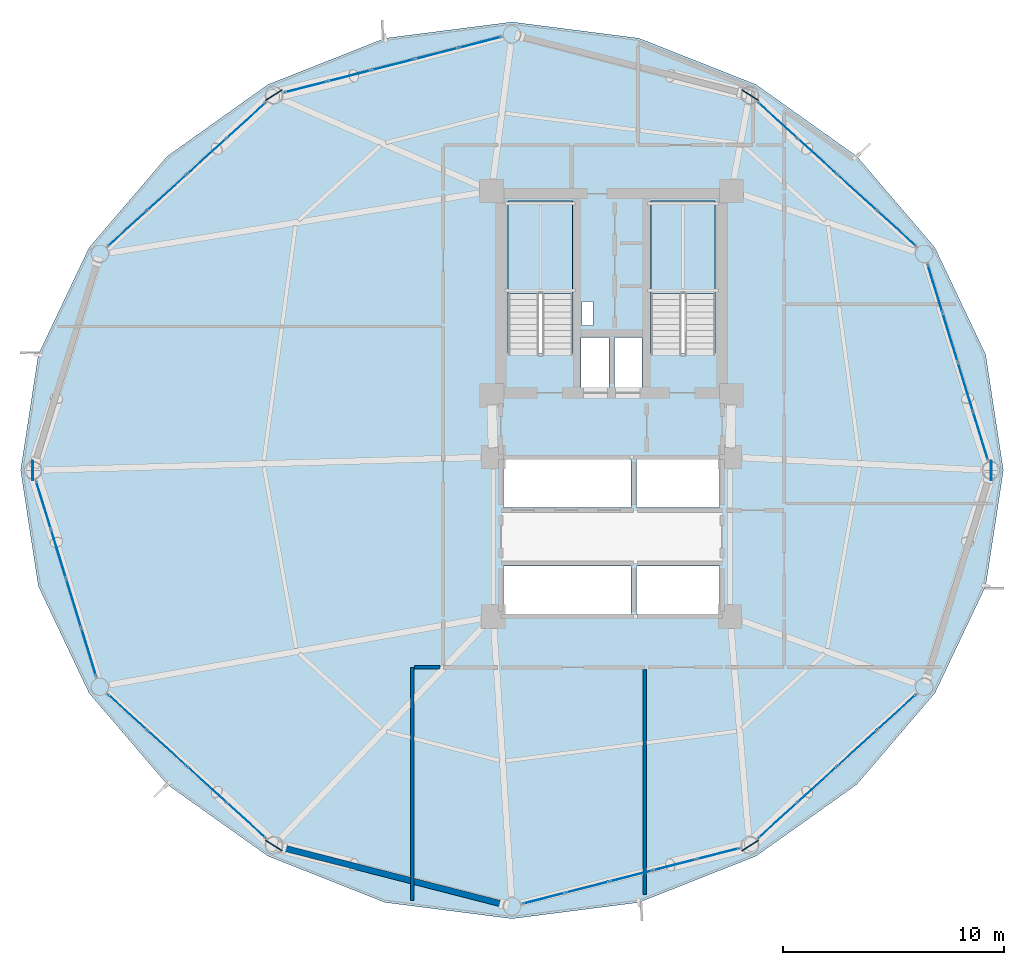
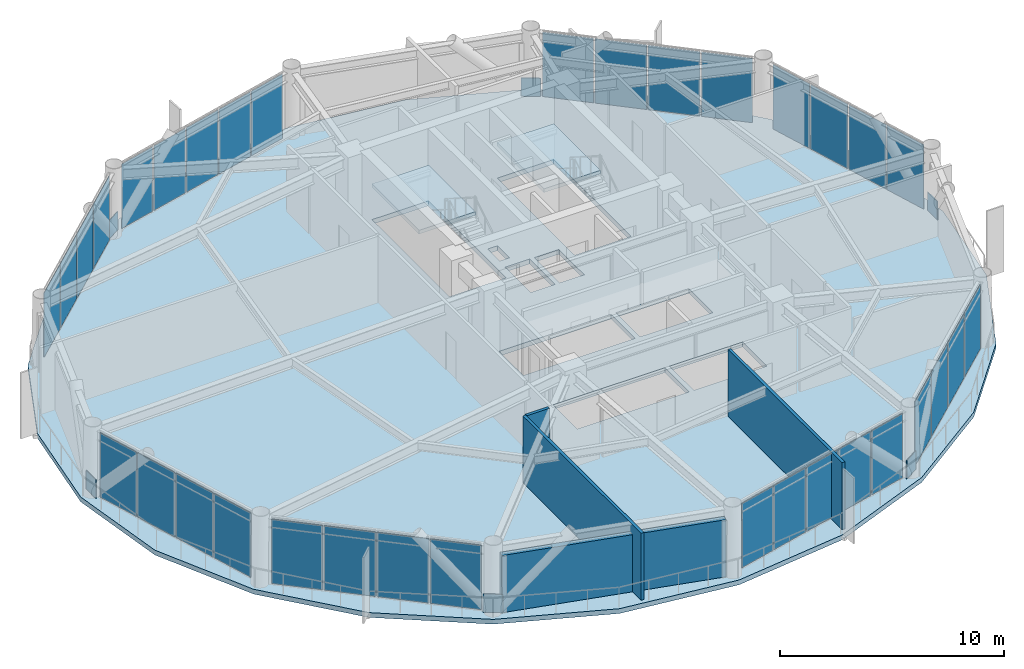
# One storey, part 19 of 25: 40 plates, 4 walls, 3 slabs, 10 elements without a shape of their own.
"""IFC4 building model written with IfcOpenShell, lengths in metres."""

from ifc_helpers import new_model, si_unit, direction, frame, frame_2d, origin, origin_2d, place, context, subcontext, project, spatial, polyline, rectangle, outline, extrude, source, transform, mapped, material, layer, layer_set, type_object, type_shapes, element, aggregate, save


model = new_model("IFC4")

# Units and contexts
model_context = context("Model", 3, precision=1e-05, world=origin(), true_north=direction((0.0, 1.0)))
body_context = subcontext(model_context, "Body", "Model", "MODEL_VIEW")
ifc_project = project(units=[si_unit("LENGTHUNIT", "METRE"), si_unit("AREAUNIT", "SQUARE_METRE"), si_unit("VOLUMEUNIT", "CUBIC_METRE"), si_unit("PLANEANGLEUNIT", "RADIAN"), si_unit("MASSUNIT", "GRAM", prefix="KILO")], contexts=[model_context])

# Site, building, storey
site_placement = place(None, origin())
site = spatial("IfcSite", under=ifc_project, at=site_placement, CompositionType="ELEMENT")
building_placement = place(site_placement, origin())
building = spatial("IfcBuilding", under=site, at=building_placement, Name="Varnakorn Sky Granary", CompositionType="ELEMENT")
storey_placement = place(building_placement, frame((0.0, 0.0, 99.300048828125)))
storey = spatial("IfcBuildingStorey", under=building, at=storey_placement, Name="L24", CompositionType="ELEMENT", Elevation=99.300048828125)

# Plates
ifc_material_1 = material(Name="Steel S460M", Category="steel")
ifc_layer_1 = layer(ifc_material_1, 0.0400390625, Name="Steel S460M")
ifc_layer_set_1 = layer_set([ifc_layer_1], Name="Steel S460M")
plate_type_1 = type_object("IfcPlateType", Name="PL-NODE-KN2", PredefinedType="SHEET", material=ifc_layer_set_1)
for number, where, z_axis, x_axis, name in (
    (1, (20.14990234375, 0.0, 0.0), (0.0, 0.0, 1.0), (0.0, 1.0, 0.0), "Diagrid Node Gusset Assembly KN2 L24-1"),
    (2, (9.257568359375, 16.94970703125, 0.0), (0.0, 0.0, 1.0), (-0.844309224116, 0.535856262512, 0.0), "Diagrid Node Gusset Assembly KN2 L24-3"),
    (3, (-12.257568359375, 16.94970703125, 0.0), (0.0, 0.0, 1.0), (-0.844309224116, -0.535856262512, 0.0), "Diagrid Node Gusset Assembly KN2 L24-5"),
    (4, (-23.14990234375, 0.0, 0.0), (0.0, 0.0, 1.0), (0.0, -1.0, 0.0), "Diagrid Node Gusset Assembly KN2 L24-7"),
    (5, (-12.257568359375, -16.94970703125, 0.0), (0.0, 0.0, 1.0), (0.844309224116, -0.535856262512, 0.0), "Diagrid Node Gusset Assembly KN2 L24-9"),
    (6, (9.257568359375, -16.94970703125, 0.0), (0.0, 0.0, 1.0), (0.844309224116, 0.535856262512, 0.0), "Diagrid Node Gusset Assembly KN2 L24-11"),
):
    element("IfcPlate", number, at=place(storey_placement, frame(where, z_axis=z_axis, x_axis=x_axis)), inside=storey, type_object=plate_type_1, Name=name, PredefinedType="SHEET", context=body_context, shape_type="SweptSolid", body=[
        extrude(rectangle(XDim=0.8798828125, YDim=0.0400390625, at=origin_2d()), origin(), (0.0, 0.0, 1.0), 1.0),
    ])

# Stair, slab
ifc_material_2 = material(Name="Concrete C40/50", Category="concrete")
stair_type = type_object("IfcStairType", Name="ST-MAIN-ASSEMBLY", PredefinedType="HALF_TURN_STAIR", material=ifc_material_2)
stair_1_placement = place(storey_placement, origin())
stair_1 = element("IfcStair", 7, at=stair_1_placement, inside=storey, type_object=stair_type, Name="L24 Protected Exit Stair ST-1", PredefinedType="HALF_TURN_STAIR")
ifc_layer_2 = layer(ifc_material_2, 0.199951171875, Name="Concrete C40/50")
ifc_layer_set_2 = layer_set([ifc_layer_2], Name="Concrete C40/50")
slab_type_1 = type_object("IfcSlabType", Name="ST-MAIN-LAND", PredefinedType="LANDING", material=ifc_layer_set_2)
slab_1_placement = place(storey_placement, frame((0.0, 0.0, 1.75)))
slab_1 = element("IfcSlab", 8, at=slab_1_placement, type_object=slab_type_1, Name="ST-1 landing 1", PredefinedType="LANDING", context=body_context, shape_type="SweptSolid", body=[
    extrude(outline(polyline([(1.239990234375, 8.0), (1.239990234375, 12.179931640625), (-1.669921875, 12.179931640625), (-1.669921875, 8.0), (1.239990234375, 8.0)])), origin(), (0.0, 0.0, 1.0), 0.199951171875),
])
aggregate(stair_1, [slab_1])

stair_2_placement = place(storey_placement, origin())
stair_2 = element("IfcStair", 9, at=stair_2_placement, inside=storey, type_object=stair_type, Name="L24 Protected Exit Stair ST-2", PredefinedType="HALF_TURN_STAIR")
slab_2_placement = place(storey_placement, frame((0.0, 0.0, 1.75)))
slab_2 = element("IfcSlab", 10, at=slab_2_placement, type_object=slab_type_1, Name="ST-2 landing 1", PredefinedType="LANDING", context=body_context, shape_type="SweptSolid", body=[
    extrude(outline(polyline([(7.679931640625, 8.0), (7.679931640625, 12.179931640625), (4.77001953125, 12.179931640625), (4.77001953125, 8.0), (7.679931640625, 8.0)])), origin(), (0.0, 0.0, 1.0), 0.199951171875),
])
aggregate(stair_2, [slab_2])

# Slab
ifc_material_3 = material(Name="Concrete C50/60", Category="concrete")
ifc_layer_3 = layer(ifc_material_3, 0.260009765625, Name="Concrete C50/60")
ifc_layer_set_3 = layer_set([ifc_layer_3], Name="Concrete C50/60")
slab_type_2 = type_object("IfcSlabType", Name="ST-SL-TWR-260", PredefinedType="FLOOR", material=ifc_layer_set_3)
slab_3_placement = place(storey_placement, frame((0.0, 0.0, -0.260009765625)))
element("IfcSlab", 11, at=slab_3_placement, inside=storey, type_object=slab_type_2, Name="Level L24 Structural Floor Slab", PredefinedType="FLOOR", context=body_context, shape_type="SweptSolid", body=[
    extrude(outline(polyline([(20.699951171875, 0.0), (19.900146484375, 5.231201171875), (17.60888671875, 10.06103515625), (14.070556640625, 14.196533203125), (9.532470703125, 17.42626953125), (4.234130859375, 19.523193359375), (-1.5, 20.257080078125), (-7.234130859375, 19.523193359375), (-12.532470703125, 17.42626953125), (-17.070556640625, 14.196533203125), (-20.60888671875, 10.06103515625), (-22.900146484375, 5.231201171875), (-23.699951171875, 0.0), (-22.900146484375, -5.231201171875), (-20.60888671875, -10.06103515625), (-17.070556640625, -14.196533203125), (-12.532470703125, -17.42626953125), (-7.234130859375, -19.523193359375), (-1.5, -20.257080078125), (4.234130859375, -19.523193359375), (9.532470703125, -17.42626953125), (14.070556640625, -14.196533203125), (17.60888671875, -10.06103515625), (19.900146484375, -5.231201171875), (20.699951171875, 0.0)]), holes=[polyline([(1.239990234375, 5.27490234375), (1.239990234375, 12.179931640625), (-1.669921875, 12.179931640625), (-1.669921875, 5.27490234375), (1.239990234375, 5.27490234375)]), polyline([(7.679931640625, 5.27490234375), (7.679931640625, 12.179931640625), (4.77001953125, 12.179931640625), (4.77001953125, 5.27490234375), (7.679931640625, 5.27490234375)]), polyline([(1.659912109375, 6.550048828125), (2.14990234375, 6.550048828125), (2.14990234375, 7.6201171875), (1.659912109375, 7.6201171875), (1.659912109375, 6.550048828125)]), polyline([(1.6201171875, 3.739990234375), (2.8798828125, 3.739990234375), (2.8798828125, 6.010009765625), (1.6201171875, 6.010009765625), (1.6201171875, 3.739990234375)]), polyline([(3.1201171875, 3.739990234375), (4.3798828125, 3.739990234375), (4.3798828125, 6.010009765625), (3.1201171875, 6.010009765625), (3.1201171875, 3.739990234375)]), polyline([(-1.8798828125, -1.679931640625), (3.8798828125, -1.679931640625), (3.8798828125, 0.47998046875), (-1.8798828125, 0.47998046875), (-1.8798828125, -1.679931640625)]), polyline([(4.1201171875, -1.679931640625), (7.8798828125, -1.679931640625), (7.8798828125, 0.47998046875), (4.1201171875, 0.47998046875), (4.1201171875, -1.679931640625)]), polyline([(-1.8798828125, -6.47998046875), (3.8798828125, -6.47998046875), (3.8798828125, -4.320068359375), (-1.8798828125, -4.320068359375), (-1.8798828125, -6.47998046875)]), polyline([(4.1201171875, -6.47998046875), (7.8798828125, -6.47998046875), (7.8798828125, -4.320068359375), (4.1201171875, -4.320068359375), (4.1201171875, -6.47998046875)])]), origin(), (0.0, 0.0, 1.0), 0.260009765625),
])

# Curtain wall, plates
ifc_material_4 = material(Name="Anodised Bronze Aluminium Alloy 6063-T6", Category="aluminium")
ifc_layer_4 = layer(ifc_material_4, 0.18994140625, Name="Anodised Bronze Aluminium Alloy 6063-T6")
ifc_layer_set_4 = layer_set([ifc_layer_4], Name="Anodised Bronze Aluminium Alloy 6063-T6")
curtain_wall_type = type_object("IfcCurtainWallType", Name="CW-FRM-1", PredefinedType="USERDEFINED", material=ifc_layer_set_4)
curtain_wall_1_placement = place(storey_placement, origin())
curtain_wall_1 = element("IfcCurtainWall", 12, at=curtain_wall_1_placement, inside=storey, type_object=curtain_wall_type, Name="Unitised Curtain Wall CW3 CW-L24-B04", ObjectType="CURTAIN WALL", PredefinedType="USERDEFINED")
ifc_material_5 = material(Name="Opaque Insulated Aluminium Shadow-Box Unit", Category="aluminium")
ifc_layer_5 = layer(ifc_material_5, 0.028076171875, Name="Opaque Insulated Aluminium Shadow-Box Unit")
ifc_layer_set_5 = layer_set([ifc_layer_5], Name="Opaque Insulated Aluminium Shadow-Box Unit")
plate_type_2 = type_object("IfcPlateType", Name="CW-FRM-1-PNL", PredefinedType="CURTAIN_PANEL")
shared_shape_1 = source(origin(), body_context, "Body", "SweptSolid", [
    extrude(rectangle(XDim=1.929443359375, YDim=0.028076171875, at=origin_2d()), origin(), (0.0, 0.0, 1.0), 3.5),
])
plate_1_placement = place(storey_placement, frame((-10.80322265625, 17.322509765625, 0.070068359375), z_axis=(0.0, 0.0, 1.0), x_axis=(0.968687271049, 0.248284052868, 0.0)))
plate_1 = element("IfcPlate", 13, at=plate_1_placement, type_object=plate_type_2, material=ifc_layer_set_5, Name="CW3 opaque insulated shadow-box unit 1.1", PredefinedType="CURTAIN_PANEL", context=body_context, shape_type="MappedRepresentation", body=[
    mapped(shared_shape_1, transform((0.0, 0.0, 0.0), x_axis=(1.0, 0.0, 0.0), y_axis=(0.0, 1.0, 0.0), z_axis=(0.0, 0.0, 1.0), scale=1.0)),
])
ifc_material_6 = material(Name="Low-E Tinted Laminated Glass", Category="glass")
ifc_layer_6 = layer(ifc_material_6, 0.028076171875, Name="Low-E Tinted Laminated Glass")
ifc_layer_set_6 = layer_set([ifc_layer_6], Name="Low-E Tinted Laminated Glass")
plate_2_placement = place(storey_placement, frame((-2.9541015625, 19.334228515625, 0.070068359375), z_axis=(0.0, 0.0, 1.0), x_axis=(0.968687271049, 0.248284052868, 0.0)))
plate_2 = element("IfcPlate", 14, at=plate_2_placement, type_object=plate_type_2, material=ifc_layer_set_6, Name="CW3 vision glazing unit 5.1", PredefinedType="CURTAIN_PANEL", context=body_context, shape_type="MappedRepresentation", body=[
    mapped(shared_shape_1, transform((0.0, 0.0, 0.0), x_axis=(1.0, 0.0, 0.0), y_axis=(0.0, 1.0, 0.0), z_axis=(0.0, 0.0, 1.0), scale=1.0)),
])

curtain_wall_2_placement = place(storey_placement, origin())
curtain_wall_2 = element("IfcCurtainWall", 15, at=curtain_wall_2_placement, inside=storey, type_object=curtain_wall_type, Name="Unitised Curtain Wall CW3 CW-L24-B10", ObjectType="CURTAIN WALL", PredefinedType="USERDEFINED")
plate_3_placement = place(storey_placement, frame((7.80322265625, -17.322509765625, 0.070068359375), z_axis=(0.0, 0.0, 1.0), x_axis=(-0.968687271049, -0.248284052868, 0.0)))
plate_3 = element("IfcPlate", 16, at=plate_3_placement, type_object=plate_type_2, material=ifc_layer_set_5, Name="CW3 opaque insulated shadow-box unit 1.1", PredefinedType="CURTAIN_PANEL", context=body_context, shape_type="MappedRepresentation", body=[
    mapped(shared_shape_1, transform((0.0, 0.0, 0.0), x_axis=(1.0, 0.0, 0.0), y_axis=(0.0, 1.0, 0.0), z_axis=(0.0, 0.0, 1.0), scale=1.0)),
])
plate_4_placement = place(storey_placement, frame((-0.0458984375, -19.334228515625, 0.070068359375), z_axis=(0.0, 0.0, 1.0), x_axis=(-0.968687271049, -0.248284052868, 0.0)))
plate_4 = element("IfcPlate", 17, at=plate_4_placement, type_object=plate_type_2, material=ifc_layer_set_6, Name="CW3 vision glazing unit 5.1", PredefinedType="CURTAIN_PANEL", context=body_context, shape_type="MappedRepresentation", body=[
    mapped(shared_shape_1, transform((0.0, 0.0, 0.0), x_axis=(1.0, 0.0, 0.0), y_axis=(0.0, 1.0, 0.0), z_axis=(0.0, 0.0, 1.0), scale=1.0)),
])

curtain_wall_3_placement = place(storey_placement, origin())
curtain_wall_3 = element("IfcCurtainWall", 18, at=curtain_wall_3_placement, inside=storey, type_object=curtain_wall_type, Name="Unitised Curtain Wall CW3 CW-L24-B01", ObjectType="CURTAIN WALL", PredefinedType="USERDEFINED")
shared_shape_2 = source(origin(), body_context, "Body", "SweptSolid", [
    extrude(rectangle(XDim=2.221923828125, YDim=0.028076171875, at=origin_2d()), origin(), (0.0, 0.0, 1.0), 3.5),
])
plate_5_placement = place(storey_placement, frame((17.617919921875, 8.211669921875, 0.070068359375), z_axis=(0.0, 0.0, 1.0), x_axis=(0.294651274609, -0.955604848445, 0.0)))
plate_5 = element("IfcPlate", 19, at=plate_5_placement, type_object=plate_type_2, material=ifc_layer_set_6, Name="CW3 vision glazing unit 1.1", PredefinedType="CURTAIN_PANEL", context=body_context, shape_type="MappedRepresentation", body=[
    mapped(shared_shape_2, transform((0.0, 0.0, 0.0), x_axis=(1.0, 0.0, 0.0), y_axis=(0.0, 1.0, 0.0), z_axis=(0.0, 0.0, 1.0), scale=1.0)),
])
plate_6_placement = place(storey_placement, frame((19.66455078125, 1.57421875, 0.070068359375), z_axis=(0.0, 0.0, 1.0), x_axis=(0.294651274609, -0.955604848445, 0.0)))
plate_6 = element("IfcPlate", 20, at=plate_6_placement, type_object=plate_type_2, material=ifc_layer_set_5, Name="CW3 opaque insulated shadow-box unit 4.1", PredefinedType="CURTAIN_PANEL", context=body_context, shape_type="MappedRepresentation", body=[
    mapped(shared_shape_2, transform((0.0, 0.0, 0.0), x_axis=(1.0, 0.0, 0.0), y_axis=(0.0, 1.0, 0.0), z_axis=(0.0, 0.0, 1.0), scale=1.0)),
])

curtain_wall_4_placement = place(storey_placement, origin())
curtain_wall_4 = element("IfcCurtainWall", 21, at=curtain_wall_4_placement, inside=storey, type_object=curtain_wall_type, Name="Unitised Curtain Wall CW3 CW-L24-B07", ObjectType="CURTAIN WALL", PredefinedType="USERDEFINED")
plate_7_placement = place(storey_placement, frame((-20.617919921875, -8.211669921875, 0.070068359375), z_axis=(0.0, 0.0, 1.0), x_axis=(-0.294651274609, 0.955604848445, 0.0)))
plate_7 = element("IfcPlate", 22, at=plate_7_placement, type_object=plate_type_2, material=ifc_layer_set_6, Name="CW3 vision glazing unit 1.1", PredefinedType="CURTAIN_PANEL", context=body_context, shape_type="MappedRepresentation", body=[
    mapped(shared_shape_2, transform((0.0, 0.0, 0.0), x_axis=(1.0, 0.0, 0.0), y_axis=(0.0, 1.0, 0.0), z_axis=(0.0, 0.0, 1.0), scale=1.0)),
])
plate_8_placement = place(storey_placement, frame((-22.66455078125, -1.57421875, 0.070068359375), z_axis=(0.0, 0.0, 1.0), x_axis=(-0.294651274609, 0.955604848445, 0.0)))
plate_8 = element("IfcPlate", 23, at=plate_8_placement, type_object=plate_type_2, material=ifc_layer_set_5, Name="CW3 opaque insulated shadow-box unit 4.1", PredefinedType="CURTAIN_PANEL", context=body_context, shape_type="MappedRepresentation", body=[
    mapped(shared_shape_2, transform((0.0, 0.0, 0.0), x_axis=(1.0, 0.0, 0.0), y_axis=(0.0, 1.0, 0.0), z_axis=(0.0, 0.0, 1.0), scale=1.0)),
])

# Plate
shared_shape_3 = source(origin(), body_context, "Body", "SweptSolid", [
    extrude(rectangle(XDim=2.2568359375, YDim=0.028076171875, at=origin_2d()), origin(), (0.0, 0.0, 1.0), 3.5),
])
plate_9_placement = place(storey_placement, frame((18.29833984375, 6.0048828125, 0.070068359375), z_axis=(0.0, 0.0, 1.0), x_axis=(0.294651274609, -0.955604848445, 0.0)))
plate_9 = element("IfcPlate", 24, at=plate_9_placement, type_object=plate_type_2, material=ifc_layer_set_6, Name="CW3 vision glazing unit 2.1", PredefinedType="CURTAIN_PANEL", context=body_context, shape_type="MappedRepresentation", body=[
    mapped(shared_shape_3, transform((0.0, 0.0, 0.0), x_axis=(1.0, 0.0, 0.0), y_axis=(0.0, 1.0, 0.0), z_axis=(0.0, 0.0, 1.0), scale=1.0)),
])

plate_10_placement = place(storey_placement, frame((18.984130859375, 3.78125, 0.070068359375), z_axis=(0.0, 0.0, 1.0), x_axis=(0.294651274609, -0.955604848445, 0.0)))
plate_10 = element("IfcPlate", 25, at=plate_10_placement, type_object=plate_type_2, material=ifc_layer_set_5, Name="CW3 opaque insulated shadow-box unit 3.1", PredefinedType="CURTAIN_PANEL", context=body_context, shape_type="MappedRepresentation", body=[
    mapped(shared_shape_3, transform((0.0, 0.0, 0.0), x_axis=(1.0, 0.0, 0.0), y_axis=(0.0, 1.0, 0.0), z_axis=(0.0, 0.0, 1.0), scale=1.0)),
])

aggregate(curtain_wall_3, [plate_5, plate_9, plate_10, plate_6])

plate_11_placement = place(storey_placement, frame((-21.29833984375, -6.0048828125, 0.070068359375), z_axis=(0.0, 0.0, 1.0), x_axis=(-0.294651274609, 0.955604848445, 0.0)))
plate_11 = element("IfcPlate", 26, at=plate_11_placement, type_object=plate_type_2, material=ifc_layer_set_6, Name="CW3 vision glazing unit 2.1", PredefinedType="CURTAIN_PANEL", context=body_context, shape_type="MappedRepresentation", body=[
    mapped(shared_shape_3, transform((0.0, 0.0, 0.0), x_axis=(1.0, 0.0, 0.0), y_axis=(0.0, 1.0, 0.0), z_axis=(0.0, 0.0, 1.0), scale=1.0)),
])

plate_12_placement = place(storey_placement, frame((-21.984130859375, -3.78125, 0.070068359375), z_axis=(0.0, 0.0, 1.0), x_axis=(-0.294651274609, 0.955604848445, 0.0)))
plate_12 = element("IfcPlate", 27, at=plate_12_placement, type_object=plate_type_2, material=ifc_layer_set_5, Name="CW3 opaque insulated shadow-box unit 3.1", PredefinedType="CURTAIN_PANEL", context=body_context, shape_type="MappedRepresentation", body=[
    mapped(shared_shape_3, transform((0.0, 0.0, 0.0), x_axis=(1.0, 0.0, 0.0), y_axis=(0.0, 1.0, 0.0), z_axis=(0.0, 0.0, 1.0), scale=1.0)),
])

aggregate(curtain_wall_4, [plate_7, plate_11, plate_12, plate_8])

# Curtain wall, plates
curtain_wall_5_placement = place(storey_placement, origin())
curtain_wall_5 = element("IfcCurtainWall", 28, at=curtain_wall_5_placement, inside=storey, type_object=curtain_wall_type, Name="Unitised Curtain Wall CW3 CW-L24-B02", ObjectType="CURTAIN WALL", PredefinedType="USERDEFINED")
shared_shape_4 = source(origin(), body_context, "Body", "SweptSolid", [
    extrude(rectangle(XDim=2.3232421875, YDim=0.028076171875, at=origin_2d()), origin(), (0.0, 0.0, 1.0), 3.5),
])
plate_13_placement = place(storey_placement, frame((10.513671875, 15.80712890625, 0.070068359375), z_axis=(0.0, 0.0, 1.0), x_axis=(0.739716418224, -0.672918732545, 0.0)))
plate_13 = element("IfcPlate", 29, at=plate_13_placement, type_object=plate_type_2, material=ifc_layer_set_5, Name="CW3 opaque insulated shadow-box unit 1.1", PredefinedType="CURTAIN_PANEL", context=body_context, shape_type="MappedRepresentation", body=[
    mapped(shared_shape_4, transform((0.0, 0.0, 0.0), x_axis=(1.0, 0.0, 0.0), y_axis=(0.0, 1.0, 0.0), z_axis=(0.0, 0.0, 1.0), scale=1.0)),
])
plate_14_placement = place(storey_placement, frame((15.87646484375, 10.9287109375, 0.070068359375), z_axis=(0.0, 0.0, 1.0), x_axis=(0.739716418224, -0.672918732545, 0.0)))
plate_14 = element("IfcPlate", 30, at=plate_14_placement, type_object=plate_type_2, material=ifc_layer_set_6, Name="CW3 vision glazing unit 4.1", PredefinedType="CURTAIN_PANEL", context=body_context, shape_type="MappedRepresentation", body=[
    mapped(shared_shape_4, transform((0.0, 0.0, 0.0), x_axis=(1.0, 0.0, 0.0), y_axis=(0.0, 1.0, 0.0), z_axis=(0.0, 0.0, 1.0), scale=1.0)),
])

curtain_wall_6_placement = place(storey_placement, origin())
curtain_wall_6 = element("IfcCurtainWall", 31, at=curtain_wall_6_placement, inside=storey, type_object=curtain_wall_type, Name="Unitised Curtain Wall CW3 CW-L24-B05", ObjectType="CURTAIN WALL", PredefinedType="USERDEFINED")
plate_15_placement = place(storey_placement, frame((-18.87646484375, 10.9287109375, 0.070068359375), z_axis=(0.0, 0.0, 1.0), x_axis=(0.739716418224, 0.672918732545, 0.0)))
plate_15 = element("IfcPlate", 32, at=plate_15_placement, type_object=plate_type_2, material=ifc_layer_set_6, Name="CW3 vision glazing unit 1.1", PredefinedType="CURTAIN_PANEL", context=body_context, shape_type="MappedRepresentation", body=[
    mapped(shared_shape_4, transform((0.0, 0.0, 0.0), x_axis=(1.0, 0.0, 0.0), y_axis=(0.0, 1.0, 0.0), z_axis=(0.0, 0.0, 1.0), scale=1.0)),
])
plate_16_placement = place(storey_placement, frame((-13.513671875, 15.80712890625, 0.070068359375), z_axis=(0.0, 0.0, 1.0), x_axis=(0.739716418224, 0.672918732545, 0.0)))
plate_16 = element("IfcPlate", 33, at=plate_16_placement, type_object=plate_type_2, material=ifc_layer_set_5, Name="CW3 opaque insulated shadow-box unit 4.1", PredefinedType="CURTAIN_PANEL", context=body_context, shape_type="MappedRepresentation", body=[
    mapped(shared_shape_4, transform((0.0, 0.0, 0.0), x_axis=(1.0, 0.0, 0.0), y_axis=(0.0, 1.0, 0.0), z_axis=(0.0, 0.0, 1.0), scale=1.0)),
])

curtain_wall_7_placement = place(storey_placement, origin())
curtain_wall_7 = element("IfcCurtainWall", 34, at=curtain_wall_7_placement, inside=storey, type_object=curtain_wall_type, Name="Unitised Curtain Wall CW3 CW-L24-B08", ObjectType="CURTAIN WALL", PredefinedType="USERDEFINED")
plate_17_placement = place(storey_placement, frame((-13.513671875, -15.80712890625, 0.070068359375), z_axis=(0.0, 0.0, 1.0), x_axis=(-0.739716418224, 0.672918732545, 0.0)))
plate_17 = element("IfcPlate", 35, at=plate_17_placement, type_object=plate_type_2, material=ifc_layer_set_5, Name="CW3 opaque insulated shadow-box unit 1.1", PredefinedType="CURTAIN_PANEL", context=body_context, shape_type="MappedRepresentation", body=[
    mapped(shared_shape_4, transform((0.0, 0.0, 0.0), x_axis=(1.0, 0.0, 0.0), y_axis=(0.0, 1.0, 0.0), z_axis=(0.0, 0.0, 1.0), scale=1.0)),
])
plate_18_placement = place(storey_placement, frame((-18.87646484375, -10.9287109375, 0.070068359375), z_axis=(0.0, 0.0, 1.0), x_axis=(-0.739716418224, 0.672918732545, 0.0)))
plate_18 = element("IfcPlate", 36, at=plate_18_placement, type_object=plate_type_2, material=ifc_layer_set_6, Name="CW3 vision glazing unit 4.1", PredefinedType="CURTAIN_PANEL", context=body_context, shape_type="MappedRepresentation", body=[
    mapped(shared_shape_4, transform((0.0, 0.0, 0.0), x_axis=(1.0, 0.0, 0.0), y_axis=(0.0, 1.0, 0.0), z_axis=(0.0, 0.0, 1.0), scale=1.0)),
])

curtain_wall_8_placement = place(storey_placement, origin())
curtain_wall_8 = element("IfcCurtainWall", 37, at=curtain_wall_8_placement, inside=storey, type_object=curtain_wall_type, Name="Unitised Curtain Wall CW3 CW-L24-B11", ObjectType="CURTAIN WALL", PredefinedType="USERDEFINED")
plate_19_placement = place(storey_placement, frame((15.87646484375, -10.9287109375, 0.070068359375), z_axis=(0.0, 0.0, 1.0), x_axis=(-0.739716418224, -0.672918732545, 0.0)))
plate_19 = element("IfcPlate", 38, at=plate_19_placement, type_object=plate_type_2, material=ifc_layer_set_6, Name="CW3 vision glazing unit 1.1", PredefinedType="CURTAIN_PANEL", context=body_context, shape_type="MappedRepresentation", body=[
    mapped(shared_shape_4, transform((0.0, 0.0, 0.0), x_axis=(1.0, 0.0, 0.0), y_axis=(0.0, 1.0, 0.0), z_axis=(0.0, 0.0, 1.0), scale=1.0)),
])
plate_20_placement = place(storey_placement, frame((10.513671875, -15.80712890625, 0.070068359375), z_axis=(0.0, 0.0, 1.0), x_axis=(-0.739716418224, -0.672918732545, 0.0)))
plate_20 = element("IfcPlate", 39, at=plate_20_placement, type_object=plate_type_2, material=ifc_layer_set_5, Name="CW3 opaque insulated shadow-box unit 4.1", PredefinedType="CURTAIN_PANEL", context=body_context, shape_type="MappedRepresentation", body=[
    mapped(shared_shape_4, transform((0.0, 0.0, 0.0), x_axis=(1.0, 0.0, 0.0), y_axis=(0.0, 1.0, 0.0), z_axis=(0.0, 0.0, 1.0), scale=1.0)),
])

# Plate
shared_shape_5 = source(origin(), body_context, "Body", "SweptSolid", [
    extrude(rectangle(XDim=2.358154296875, YDim=0.028076171875, at=origin_2d()), origin(), (0.0, 0.0, 1.0), 3.5),
])
plate_21_placement = place(storey_placement, frame((12.296875, 14.184814453125, 0.070068359375), z_axis=(0.0, 0.0, 1.0), x_axis=(0.739716418224, -0.672918732545, 0.0)))
plate_21 = element("IfcPlate", 40, at=plate_21_placement, type_object=plate_type_2, material=ifc_layer_set_5, Name="CW3 opaque insulated shadow-box unit 2.1", PredefinedType="CURTAIN_PANEL", context=body_context, shape_type="MappedRepresentation", body=[
    mapped(shared_shape_5, transform((0.0, 0.0, 0.0), x_axis=(1.0, 0.0, 0.0), y_axis=(0.0, 1.0, 0.0), z_axis=(0.0, 0.0, 1.0), scale=1.0)),
])

plate_22_placement = place(storey_placement, frame((14.093017578125, 12.55078125, 0.070068359375), z_axis=(0.0, 0.0, 1.0), x_axis=(0.739716418224, -0.672918732545, 0.0)))
plate_22 = element("IfcPlate", 41, at=plate_22_placement, type_object=plate_type_2, material=ifc_layer_set_6, Name="CW3 vision glazing unit 3.1", PredefinedType="CURTAIN_PANEL", context=body_context, shape_type="MappedRepresentation", body=[
    mapped(shared_shape_5, transform((0.0, 0.0, 0.0), x_axis=(1.0, 0.0, 0.0), y_axis=(0.0, 1.0, 0.0), z_axis=(0.0, 0.0, 1.0), scale=1.0)),
])

aggregate(curtain_wall_5, [plate_13, plate_21, plate_22, plate_14])

plate_23_placement = place(storey_placement, frame((-17.093017578125, 12.55078125, 0.070068359375), z_axis=(0.0, 0.0, 1.0), x_axis=(0.739716418224, 0.672918732545, 0.0)))
plate_23 = element("IfcPlate", 42, at=plate_23_placement, type_object=plate_type_2, material=ifc_layer_set_6, Name="CW3 vision glazing unit 2.1", PredefinedType="CURTAIN_PANEL", context=body_context, shape_type="MappedRepresentation", body=[
    mapped(shared_shape_5, transform((0.0, 0.0, 0.0), x_axis=(1.0, 0.0, 0.0), y_axis=(0.0, 1.0, 0.0), z_axis=(0.0, 0.0, 1.0), scale=1.0)),
])

plate_24_placement = place(storey_placement, frame((-15.296875, 14.184814453125, 0.070068359375), z_axis=(0.0, 0.0, 1.0), x_axis=(0.739716418224, 0.672918732545, 0.0)))
plate_24 = element("IfcPlate", 43, at=plate_24_placement, type_object=plate_type_2, material=ifc_layer_set_5, Name="CW3 opaque insulated shadow-box unit 3.1", PredefinedType="CURTAIN_PANEL", context=body_context, shape_type="MappedRepresentation", body=[
    mapped(shared_shape_5, transform((0.0, 0.0, 0.0), x_axis=(1.0, 0.0, 0.0), y_axis=(0.0, 1.0, 0.0), z_axis=(0.0, 0.0, 1.0), scale=1.0)),
])

aggregate(curtain_wall_6, [plate_15, plate_23, plate_24, plate_16])

plate_25_placement = place(storey_placement, frame((-15.296875, -14.184814453125, 0.070068359375), z_axis=(0.0, 0.0, 1.0), x_axis=(-0.739716418224, 0.672918732545, 0.0)))
plate_25 = element("IfcPlate", 44, at=plate_25_placement, type_object=plate_type_2, material=ifc_layer_set_5, Name="CW3 opaque insulated shadow-box unit 2.1", PredefinedType="CURTAIN_PANEL", context=body_context, shape_type="MappedRepresentation", body=[
    mapped(shared_shape_5, transform((0.0, 0.0, 0.0), x_axis=(1.0, 0.0, 0.0), y_axis=(0.0, 1.0, 0.0), z_axis=(0.0, 0.0, 1.0), scale=1.0)),
])

plate_26_placement = place(storey_placement, frame((-17.093017578125, -12.55078125, 0.070068359375), z_axis=(0.0, 0.0, 1.0), x_axis=(-0.739716418224, 0.672918732545, 0.0)))
plate_26 = element("IfcPlate", 45, at=plate_26_placement, type_object=plate_type_2, material=ifc_layer_set_6, Name="CW3 vision glazing unit 3.1", PredefinedType="CURTAIN_PANEL", context=body_context, shape_type="MappedRepresentation", body=[
    mapped(shared_shape_5, transform((0.0, 0.0, 0.0), x_axis=(1.0, 0.0, 0.0), y_axis=(0.0, 1.0, 0.0), z_axis=(0.0, 0.0, 1.0), scale=1.0)),
])

aggregate(curtain_wall_7, [plate_17, plate_25, plate_26, plate_18])

plate_27_placement = place(storey_placement, frame((14.093017578125, -12.55078125, 0.070068359375), z_axis=(0.0, 0.0, 1.0), x_axis=(-0.739716418224, -0.672918732545, 0.0)))
plate_27 = element("IfcPlate", 46, at=plate_27_placement, type_object=plate_type_2, material=ifc_layer_set_6, Name="CW3 vision glazing unit 2.1", PredefinedType="CURTAIN_PANEL", context=body_context, shape_type="MappedRepresentation", body=[
    mapped(shared_shape_5, transform((0.0, 0.0, 0.0), x_axis=(1.0, 0.0, 0.0), y_axis=(0.0, 1.0, 0.0), z_axis=(0.0, 0.0, 1.0), scale=1.0)),
])

plate_28_placement = place(storey_placement, frame((12.296875, -14.184814453125, 0.070068359375), z_axis=(0.0, 0.0, 1.0), x_axis=(-0.739716418224, -0.672918732545, 0.0)))
plate_28 = element("IfcPlate", 47, at=plate_28_placement, type_object=plate_type_2, material=ifc_layer_set_5, Name="CW3 opaque insulated shadow-box unit 3.1", PredefinedType="CURTAIN_PANEL", context=body_context, shape_type="MappedRepresentation", body=[
    mapped(shared_shape_5, transform((0.0, 0.0, 0.0), x_axis=(1.0, 0.0, 0.0), y_axis=(0.0, 1.0, 0.0), z_axis=(0.0, 0.0, 1.0), scale=1.0)),
])

aggregate(curtain_wall_8, [plate_19, plate_27, plate_28, plate_20])

shared_shape_6 = source(origin(), body_context, "Body", "SweptSolid", [
    extrude(rectangle(XDim=1.96435546875, YDim=0.028076171875, at=origin_2d()), origin(), (0.0, 0.0, 1.0), 3.5),
])
type_shapes(plate_type_2, [shared_shape_1, shared_shape_2, shared_shape_3, shared_shape_4, shared_shape_5, shared_shape_6])
plate_29_placement = place(storey_placement, frame((-8.849609375, 17.8232421875, 0.070068359375), z_axis=(0.0, 0.0, 1.0), x_axis=(0.968687271049, 0.248284052868, 0.0)))
plate_29 = element("IfcPlate", 48, at=plate_29_placement, type_object=plate_type_2, material=ifc_layer_set_5, Name="CW3 opaque insulated shadow-box unit 2.1", PredefinedType="CURTAIN_PANEL", context=body_context, shape_type="MappedRepresentation", body=[
    mapped(shared_shape_6, transform((0.0, 0.0, 0.0), x_axis=(1.0, 0.0, 0.0), y_axis=(0.0, 1.0, 0.0), z_axis=(0.0, 0.0, 1.0), scale=1.0)),
])

plate_30_placement = place(storey_placement, frame((-6.878662109375, 18.328369140625, 0.070068359375), z_axis=(0.0, 0.0, 1.0), x_axis=(0.968687271049, 0.248284052868, 0.0)))
plate_30 = element("IfcPlate", 49, at=plate_30_placement, type_object=plate_type_2, material=ifc_layer_set_6, Name="CW3 vision glazing unit 3.1", PredefinedType="CURTAIN_PANEL", context=body_context, shape_type="MappedRepresentation", body=[
    mapped(shared_shape_6, transform((0.0, 0.0, 0.0), x_axis=(1.0, 0.0, 0.0), y_axis=(0.0, 1.0, 0.0), z_axis=(0.0, 0.0, 1.0), scale=1.0)),
])

plate_31_placement = place(storey_placement, frame((-4.907958984375, 18.83349609375, 0.070068359375), z_axis=(0.0, 0.0, 1.0), x_axis=(0.968687271049, 0.248284052868, 0.0)))
plate_31 = element("IfcPlate", 50, at=plate_31_placement, type_object=plate_type_2, material=ifc_layer_set_6, Name="CW3 vision glazing unit 4.1", PredefinedType="CURTAIN_PANEL", context=body_context, shape_type="MappedRepresentation", body=[
    mapped(shared_shape_6, transform((0.0, 0.0, 0.0), x_axis=(1.0, 0.0, 0.0), y_axis=(0.0, 1.0, 0.0), z_axis=(0.0, 0.0, 1.0), scale=1.0)),
])

aggregate(curtain_wall_1, [plate_1, plate_29, plate_30, plate_31, plate_2])

plate_32_placement = place(storey_placement, frame((5.849609375, -17.8232421875, 0.070068359375), z_axis=(0.0, 0.0, 1.0), x_axis=(-0.968687271049, -0.248284052868, 0.0)))
plate_32 = element("IfcPlate", 51, at=plate_32_placement, type_object=plate_type_2, material=ifc_layer_set_5, Name="CW3 opaque insulated shadow-box unit 2.1", PredefinedType="CURTAIN_PANEL", context=body_context, shape_type="MappedRepresentation", body=[
    mapped(shared_shape_6, transform((0.0, 0.0, 0.0), x_axis=(1.0, 0.0, 0.0), y_axis=(0.0, 1.0, 0.0), z_axis=(0.0, 0.0, 1.0), scale=1.0)),
])

plate_33_placement = place(storey_placement, frame((3.878662109375, -18.328369140625, 0.070068359375), z_axis=(0.0, 0.0, 1.0), x_axis=(-0.968687271049, -0.248284052868, 0.0)))
plate_33 = element("IfcPlate", 52, at=plate_33_placement, type_object=plate_type_2, material=ifc_layer_set_6, Name="CW3 vision glazing unit 3.1", PredefinedType="CURTAIN_PANEL", context=body_context, shape_type="MappedRepresentation", body=[
    mapped(shared_shape_6, transform((0.0, 0.0, 0.0), x_axis=(1.0, 0.0, 0.0), y_axis=(0.0, 1.0, 0.0), z_axis=(0.0, 0.0, 1.0), scale=1.0)),
])

plate_34_placement = place(storey_placement, frame((1.907958984375, -18.83349609375, 0.070068359375), z_axis=(0.0, 0.0, 1.0), x_axis=(-0.968687271049, -0.248284052868, 0.0)))
plate_34 = element("IfcPlate", 53, at=plate_34_placement, type_object=plate_type_2, material=ifc_layer_set_6, Name="CW3 vision glazing unit 4.1", PredefinedType="CURTAIN_PANEL", context=body_context, shape_type="MappedRepresentation", body=[
    mapped(shared_shape_6, transform((0.0, 0.0, 0.0), x_axis=(1.0, 0.0, 0.0), y_axis=(0.0, 1.0, 0.0), z_axis=(0.0, 0.0, 1.0), scale=1.0)),
])

aggregate(curtain_wall_2, [plate_3, plate_32, plate_33, plate_34, plate_4])

# Walls
ifc_material_7 = material(Name="Precast concrete C40/50", Category="concrete")
ifc_layer_7 = layer(ifc_material_7, 0.280029296875, Name="Precast concrete C40/50")
ifc_layer_set_7 = layer_set([ifc_layer_7], Name="Precast concrete C40/50")
wall_type_1 = type_object("IfcWallType", Name="WT-EW-CRN-280", PredefinedType="SOLIDWALL", material=ifc_layer_set_7)
wall_1_placement = place(storey_placement, frame((-1.85009765625, -19.6171875, 0.0), z_axis=(0.0, 0.0, 1.0), x_axis=(-0.96868968268, 0.248274643631, 0.0)))
element("IfcWall", 54, at=wall_1_placement, inside=storey, type_object=wall_type_1, Name="Agritech Insulated Precast Facade Wall L24-P09", PredefinedType="SOLIDWALL", context=body_context, shape_type="SweptSolid", body=[
    extrude(rectangle(XDim=10.382080078125, YDim=0.280029296875, at=frame_2d((5.19091796875, 0.0))), origin(), (0.0, 0.0, 1.0), 3.10986328125),
])
ifc_material_8 = material(Name="Gypsum Plasterboard on Steel Stud", Category="steel")
ifc_layer_8 = layer(ifc_material_8, 0.14990234375, Name="Gypsum Plasterboard on Steel Stud")
ifc_layer_set_8 = layer_set([ifc_layer_8], Name="Gypsum Plasterboard on Steel Stud")
wall_type_2 = type_object("IfcWallType", Name="WT-PART-150", PredefinedType="PARTITIONING", material=ifc_layer_set_8)
wall_2_placement = place(storey_placement, frame((4.5, -9.0, 0.0), z_axis=(0.0, 0.0, 1.0), x_axis=(0.0, -1.0, 0.0)))
element("IfcWall", 55, at=wall_2_placement, inside=storey, type_object=wall_type_2, Name="Interior Partition Wall L24-036", PredefinedType="PARTITIONING", context=body_context, shape_type="SweptSolid", body=[
    extrude(rectangle(XDim=10.162109375, YDim=0.14990234375, at=frame_2d((5.0810546875, 0.0))), origin(), (0.0, 0.0, 1.0), 3.639892578125),
])
wall_3_placement = place(storey_placement, frame((-6.0, -19.44091796875, 0.0), z_axis=(0.0, 0.0, 1.0), x_axis=(0.0, 1.0, 0.0)))
element("IfcWall", 56, at=wall_3_placement, inside=storey, type_object=wall_type_2, Name="Interior Partition Wall L24-037", PredefinedType="PARTITIONING", context=body_context, shape_type="SweptSolid", body=[
    extrude(rectangle(XDim=10.541015625, YDim=0.14990234375, at=frame_2d((5.2705078125, 0.0))), origin(), (0.0, 0.0, 1.0), 3.639892578125),
])
wall_4_placement = place(storey_placement, frame((-5.9150390625, -8.89990234375, 0.0), z_axis=(0.0, 0.0, 1.0), x_axis=(1.0, 0.0, 0.0)))
element("IfcWall", 57, at=wall_4_placement, inside=storey, type_object=wall_type_2, Name="Interior Partition Wall L24-038", PredefinedType="PARTITIONING", context=body_context, shape_type="SweptSolid", body=[
    extrude(rectangle(XDim=1.1650390625, YDim=0.14990234375, at=frame_2d((0.58251953125, 0.0))), origin(), (0.0, 0.0, 1.0), 3.639892578125),
])

save(model, "model.ifc")
